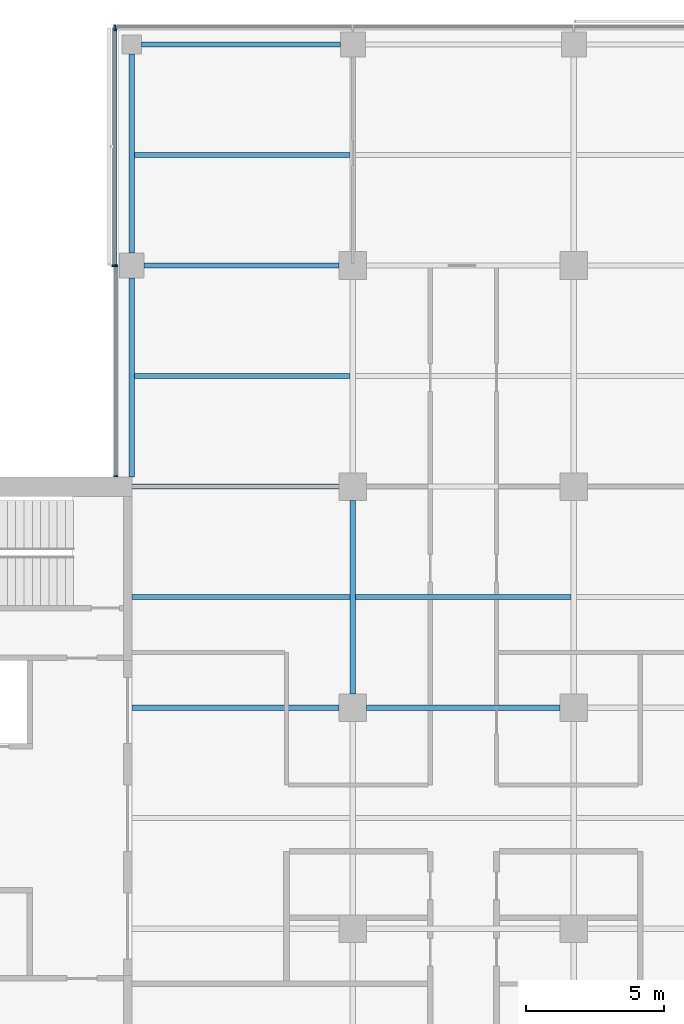
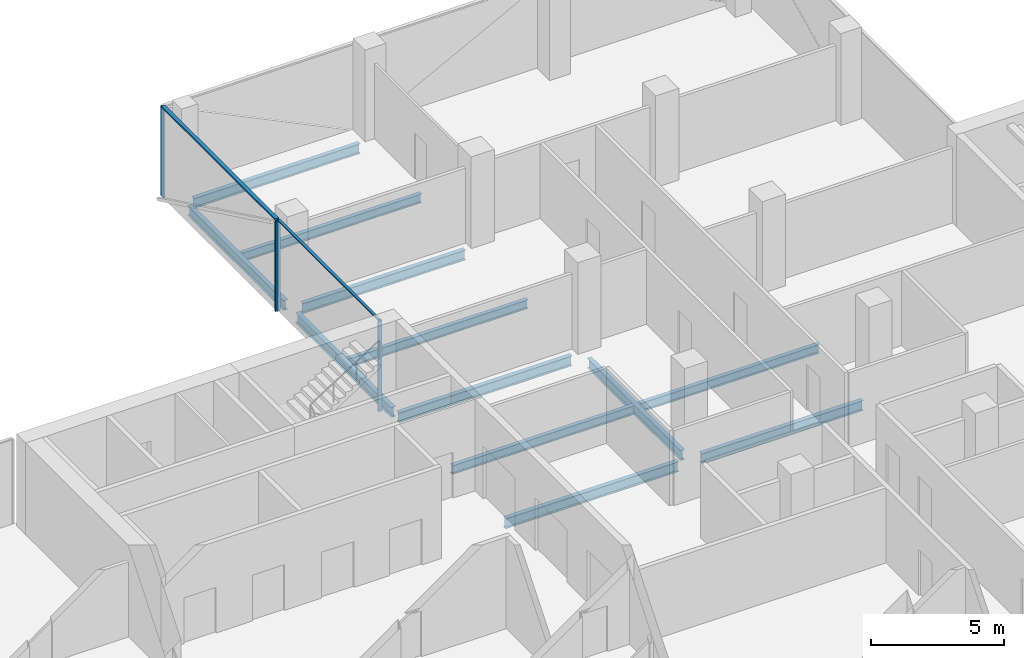
# One storey, part 8 of 22: 12 beams, 6 members, 3 elements without a shape of their own.
"""IFC4 building model written with IfcOpenShell, lengths in metres."""

from ifc_helpers import new_model, si_unit, direction, frame, origin, origin_2d, place, context, subcontext, project, spatial, rectangle, i_section, extrude, material, material_profile, profile_set, type_object, element, aggregate, save


model = new_model("IFC4")

# Units and contexts
model_context = context("Model", 3, precision=1e-05, world=origin(), true_north=direction((0.0, 1.0)))
body_context = subcontext(model_context, "Body", "Model", "MODEL_VIEW")
ifc_project = project(units=[si_unit("LENGTHUNIT", "METRE"), si_unit("AREAUNIT", "SQUARE_METRE"), si_unit("VOLUMEUNIT", "CUBIC_METRE"), si_unit("PLANEANGLEUNIT", "RADIAN"), si_unit("MASSUNIT", "GRAM", prefix="KILO")], contexts=[model_context])

# Site, building, storey
site_placement = place(None, origin())
site = spatial("IfcSite", under=ifc_project, at=site_placement, CompositionType="ELEMENT")
building_placement = place(site_placement, origin())
building = spatial("IfcBuilding", under=site, at=building_placement, Name="Crosswind Convention Tower", CompositionType="ELEMENT")
storey_placement = place(building_placement, frame((0.0, 0.0, 163.10009765625)))
storey = spatial("IfcBuildingStorey", under=building, at=storey_placement, Name="L34", CompositionType="ELEMENT", Elevation=163.10009765625)

# Beams
ifc_material_1 = material(Name="Steel S355", Category="steel")
ifc_material_profile_1 = material_profile(ifc_material_1, i_section(OverallWidth=0.18994140625, OverallDepth=0.45361328125, WebThickness=0.008544921875, FlangeThickness=0.0126953125, FilletRadius=0.01025390625, at=origin_2d()), Name="UB 457x191x67")
ifc_profile_set_1 = profile_set([ifc_material_profile_1], Name="Steel S355")
beam_type_1 = type_object("IfcBeamType", Name="Edge beam UB 457x191x67", PredefinedType="SPANDREL", material=ifc_profile_set_1)
for number, where, z_axis, x_axis, name in (
    (1, (113.0, 112.35009765625, -0.52685546875), (0.0, 1.0, 0.0), (-1.0, 0.0, 0.0), "B16 L34 edge beam 8"),
    (2, (113.0, 120.449951171875, -0.52685546875), (0.0, 1.0, 0.0), (-1.0, 0.0, 0.0), "B16 L34 edge beam 9"),
    (3, (113.35009765625, 128.0, -0.52685546875), (1.0, 0.0, 0.0), (0.0, 1.0, 0.0), "B16 L34 edge beam 11"),
):
    element("IfcBeam", number, at=place(storey_placement, frame(where, z_axis=z_axis, x_axis=x_axis)), inside=storey, type_object=beam_type_1, Name=name, PredefinedType="SPANDREL", context=body_context, shape_type="SweptSolid", body=[
        extrude(i_section(OverallWidth=0.18994140625, OverallDepth=0.45361328125, WebThickness=0.008544921875, FlangeThickness=0.0126953125, FilletRadius=0.01025390625, at=origin_2d()), origin(), (0.0, 0.0, 1.0), 7.199951171875),
    ])
ifc_material_profile_2 = material_profile(ifc_material_1, i_section(OverallWidth=0.19140625, OverallDepth=0.460205078125, WebThickness=0.010009765625, FlangeThickness=0.01611328125, FilletRadius=0.01025390625, at=origin_2d()), Name="UB 457x191x82")
ifc_profile_set_2 = profile_set([ifc_material_profile_2], Name="Steel S355")
beam_type_2 = type_object("IfcBeamType", Name="Girder UB 457x191x82", PredefinedType="BEAM", material=ifc_profile_set_2)
beam_1_placement = place(storey_placement, frame((113.449951171875, 120.0, -0.5302734375), z_axis=(1.0, 0.0, 0.0), x_axis=(0.0, 1.0, 0.0)))
element("IfcBeam", 4, at=beam_1_placement, inside=storey, type_object=beam_type_2, Name="B3 L34 girder 2", PredefinedType="BEAM", context=body_context, shape_type="SweptSolid", body=[
    extrude(i_section(OverallWidth=0.19140625, OverallDepth=0.460205078125, WebThickness=0.010009765625, FlangeThickness=0.01611328125, FilletRadius=0.01025390625, at=origin_2d()), origin(), (0.0, 0.0, 1.0), 7.050048828125),
])
for number, where, z_axis, x_axis, name in (
    (5, (121.0, 104.5, -0.5302734375), (0.0, 1.0, 0.0), (-1.0, 0.0, 0.0), "B3 L34 girder 7"),
    (6, (121.5, 104.0, -0.5302734375), (1.0, 0.0, 0.0), (0.0, 1.0, 0.0), "B3 L34 girder 13"),
):
    element("IfcBeam", number, at=place(storey_placement, frame(where, z_axis=z_axis, x_axis=x_axis)), inside=storey, type_object=beam_type_2, Name=name, PredefinedType="BEAM", context=body_context, shape_type="SweptSolid", body=[
        extrude(i_section(OverallWidth=0.19140625, OverallDepth=0.460205078125, WebThickness=0.010009765625, FlangeThickness=0.01611328125, FilletRadius=0.01025390625, at=origin_2d()), origin(), (0.0, 0.0, 1.0), 7.0),
    ])
ifc_material_profile_3 = material_profile(ifc_material_1, i_section(OverallWidth=0.19189453125, OverallDepth=0.463623046875, WebThickness=0.010498046875, FlangeThickness=0.017578125, FilletRadius=0.01025390625, at=origin_2d()), Name="UB 457x191x90")
ifc_profile_set_3 = profile_set([ifc_material_profile_3], Name="Steel S355")
beam_type_3 = type_object("IfcBeamType", Name="Girder at core wall UB 457x191x90", PredefinedType="BEAM", material=ifc_profile_set_3)
for number, where, z_axis, x_axis, name in (
    (7, (113.0, 104.0, -0.531982421875), (1.0, 0.0, 0.0), (0.0, 1.0, 0.0), "B24 L34 girder at core wall 5"),
    (8, (113.0, 112.0, -0.531982421875), (1.0, 0.0, 0.0), (0.0, 1.0, 0.0), "B24 L34 girder at core wall 6"),
):
    element("IfcBeam", number, at=place(storey_placement, frame(where, z_axis=z_axis, x_axis=x_axis)), inside=storey, type_object=beam_type_3, Name=name, PredefinedType="BEAM", context=body_context, shape_type="SweptSolid", body=[
        extrude(i_section(OverallWidth=0.19189453125, OverallDepth=0.463623046875, WebThickness=0.010498046875, FlangeThickness=0.017578125, FilletRadius=0.01025390625, at=origin_2d()), origin(), (0.0, 0.0, 1.0), 7.5),
    ])

# Curtain wall, members
ifc_material_2 = material(Name="Aluminium unitised curtain wall", Category="aluminium")
curtain_wall_type_1 = type_object("IfcCurtainWallType", Name="CORE END SLOT WALL 160", PredefinedType="USERDEFINED", material=ifc_material_2)
curtain_wall_1_placement = place(storey_placement, origin())
curtain_wall_1 = element("IfcCurtainWall", 9, at=curtain_wall_1_placement, inside=storey, type_object=curtain_wall_type_1, Name="CW6 L34 N-W.1-2 slot", ObjectType="UNITISED", PredefinedType="USERDEFINED")
ifc_material_3 = material(Name="Aluminium mullion", Category="aluminium")
ifc_material_profile_4 = material_profile(ifc_material_3, rectangle(XDim=0.159912109375, YDim=0.050048828125, at=origin_2d()), Name="AL 160X50")
ifc_profile_set_4 = profile_set([ifc_material_profile_4], Name="Aluminium mullion")
member_type_1 = type_object("IfcMemberType", Name="MULLION 50X160", PredefinedType="MULLION", material=ifc_profile_set_4)
member_1_placement = place(storey_placement, frame((112.419921875, 119.97509765625, -0.300048828125), z_axis=(0.0, 0.0, 1.0), x_axis=(-1.0, 0.0, 0.0)))
member_1 = element("IfcMember", 10, at=member_1_placement, type_object=member_type_1, Name="CW6 mullion 1", PredefinedType="MULLION", context=body_context, shape_type="SweptSolid", body=[
    extrude(rectangle(XDim=0.159912109375, YDim=0.050048828125, at=origin_2d()), origin(), (0.0, 0.0, 1.0), 4.14990234375),
])
member_2_placement = place(storey_placement, frame((112.419921875, 112.375, -0.300048828125), z_axis=(0.0, 0.0, 1.0), x_axis=(-1.0, 0.0, 0.0)))
member_2 = element("IfcMember", 11, at=member_2_placement, type_object=member_type_1, Name="CW6 mullion 2", PredefinedType="MULLION", context=body_context, shape_type="SweptSolid", body=[
    extrude(rectangle(XDim=0.159912109375, YDim=0.050048828125, at=origin_2d()), origin(), (0.0, 0.0, 1.0), 4.14990234375),
])

# Curtain wall, member
curtain_wall_type_2 = type_object("IfcCurtainWallType", Name="OFFICE UNITISED WALL 220", PredefinedType="USERDEFINED", material=ifc_material_2)
curtain_wall_2_placement = place(storey_placement, origin())
curtain_wall_2 = element("IfcCurtainWall", 12, at=curtain_wall_2_placement, inside=storey, type_object=curtain_wall_type_2, Name="CW3 L34 N-TIP 1", ObjectType="UNITISED", PredefinedType="USERDEFINED")
ifc_material_profile_5 = material_profile(ifc_material_3, rectangle(XDim=0.219970703125, YDim=0.070068359375, at=origin_2d()), Name="AL 220X70")
ifc_profile_set_5 = profile_set([ifc_material_profile_5], Name="Aluminium mullion")
member_type_2 = type_object("IfcMemberType", Name="MULLION 70X220", PredefinedType="MULLION", material=ifc_profile_set_5)
member_3_placement = place(storey_placement, frame((112.389892578125, 128.610107421875, -0.300048828125), z_axis=(0.0, 0.0, 1.0), x_axis=(0.0, 1.0, 0.0)))
member_3 = element("IfcMember", 13, at=member_3_placement, type_object=member_type_2, Name="CW3 mullion 4", PredefinedType="MULLION", context=body_context, shape_type="SweptSolid", body=[
    extrude(rectangle(XDim=0.219970703125, YDim=0.070068359375, at=origin_2d()), origin(), (0.0, 0.0, 1.0), 4.1298828125),
])
aggregate(curtain_wall_2, [member_3])

curtain_wall_3_placement = place(storey_placement, origin())
curtain_wall_3 = element("IfcCurtainWall", 14, at=curtain_wall_3_placement, inside=storey, type_object=curtain_wall_type_2, Name="CW3 L34 N-W 1", ObjectType="UNITISED", PredefinedType="USERDEFINED")
member_4_placement = place(storey_placement, frame((112.389892578125, 120.0, -0.300048828125), z_axis=(0.0, 0.0, 1.0), x_axis=(-1.0, 0.0, 0.0)))
member_4 = element("IfcMember", 15, at=member_4_placement, type_object=member_type_2, Name="CW3 mullion 2", PredefinedType="MULLION", context=body_context, shape_type="SweptSolid", body=[
    extrude(rectangle(XDim=0.219970703125, YDim=0.070068359375, at=origin_2d()), origin(), (0.0, 0.0, 1.0), 4.1298828125),
])

# Beams
ifc_material_profile_6 = material_profile(ifc_material_1, i_section(OverallWidth=0.177734375, OverallDepth=0.406494140625, WebThickness=0.0078125, FlangeThickness=0.0126953125, FilletRadius=0.01025390625, at=origin_2d()), Name="UB 406x178x60")
ifc_profile_set_6 = profile_set([ifc_material_profile_6], Name="Steel S355")
beam_type_4 = type_object("IfcBeamType", Name="Secondary beam UB 406x178x60", PredefinedType="JOIST", material=ifc_profile_set_6)
beam_2_placement = place(storey_placement, frame((113.0, 108.0, -0.50341796875), z_axis=(1.0, 0.0, 0.0), x_axis=(0.0, 1.0, 0.0)))
element("IfcBeam", 16, at=beam_2_placement, inside=storey, type_object=beam_type_4, Name="B10 L34 secondary beam 6", PredefinedType="JOIST", context=body_context, shape_type="SweptSolid", body=[
    extrude(i_section(OverallWidth=0.177734375, OverallDepth=0.406494140625, WebThickness=0.0078125, FlangeThickness=0.0126953125, FilletRadius=0.01025390625, at=origin_2d()), origin(), (0.0, 0.0, 1.0), 7.904296875),
])
for number, where, z_axis, x_axis, name in (
    (17, (113.094970703125, 116.0, -0.50341796875), (1.0, 0.0, 0.0), (0.0, 1.0, 0.0), "B10 L34 secondary beam 9"),
    (18, (113.094970703125, 124.0, -0.50341796875), (1.0, 0.0, 0.0), (0.0, 1.0, 0.0), "B10 L34 secondary beam 10"),
):
    element("IfcBeam", number, at=place(storey_placement, frame(where, z_axis=z_axis, x_axis=x_axis)), inside=storey, type_object=beam_type_4, Name=name, PredefinedType="JOIST", context=body_context, shape_type="SweptSolid", body=[
        extrude(i_section(OverallWidth=0.177734375, OverallDepth=0.406494140625, WebThickness=0.0078125, FlangeThickness=0.0126953125, FilletRadius=0.01025390625, at=origin_2d()), origin(), (0.0, 0.0, 1.0), 7.809326171875),
    ])
beam_3_placement = place(storey_placement, frame((121.095703125, 108.0, -0.50341796875), z_axis=(1.0, 0.0, 0.0), x_axis=(0.0, 1.0, 0.0)))
element("IfcBeam", 19, at=beam_3_placement, inside=storey, type_object=beam_type_4, Name="B10 L34 secondary beam 15", PredefinedType="JOIST", context=body_context, shape_type="SweptSolid", body=[
    extrude(i_section(OverallWidth=0.177734375, OverallDepth=0.406494140625, WebThickness=0.0078125, FlangeThickness=0.0126953125, FilletRadius=0.01025390625, at=origin_2d()), origin(), (0.0, 0.0, 1.0), 7.80859375),
])

# Member
ifc_material_4 = material(Name="Aluminium transom", Category="aluminium")
ifc_material_profile_7 = material_profile(ifc_material_4, rectangle(XDim=0.1201171875, YDim=0.050048828125, at=origin_2d()), Name="AL 120X50")
ifc_profile_set_7 = profile_set([ifc_material_profile_7], Name="Aluminium transom")
member_type_3 = type_object("IfcMemberType", Name="TRANSOM 50X120", PredefinedType="USERDEFINED", material=ifc_profile_set_7)
member_5_placement = place(storey_placement, frame((112.419921875, 119.949951171875, 3.875), z_axis=(0.0, -1.0, 0.0), x_axis=(1.0, 0.0, 0.0)))
member_5 = element("IfcMember", 20, at=member_5_placement, type_object=member_type_3, Name="CW6 transom", ObjectType="TRANSOM", PredefinedType="USERDEFINED", context=body_context, shape_type="SweptSolid", body=[
    extrude(rectangle(XDim=0.1201171875, YDim=0.050048828125, at=origin_2d()), origin(), (0.0, 0.0, 1.0), 7.550048828125),
])

aggregate(curtain_wall_1, [member_1, member_2, member_5])

ifc_material_profile_8 = material_profile(ifc_material_4, rectangle(XDim=0.159912109375, YDim=0.070068359375, at=origin_2d()), Name="AL 160X70")
ifc_profile_set_8 = profile_set([ifc_material_profile_8], Name="Aluminium transom")
member_type_4 = type_object("IfcMemberType", Name="TRANSOM 70X160", PredefinedType="USERDEFINED", material=ifc_profile_set_8)
member_6_placement = place(storey_placement, frame((112.389892578125, 128.574951171875, 3.864990234375), z_axis=(0.0, -1.0, 0.0), x_axis=(1.0, 0.0, 0.0)))
member_6 = element("IfcMember", 21, at=member_6_placement, type_object=member_type_4, Name="CW3 transom", ObjectType="TRANSOM", PredefinedType="USERDEFINED", context=body_context, shape_type="SweptSolid", body=[
    extrude(rectangle(XDim=0.159912109375, YDim=0.070068359375, at=origin_2d()), origin(), (0.0, 0.0, 1.0), 8.5400390625),
])

aggregate(curtain_wall_3, [member_4, member_6])

save(model, "model.ifc")
